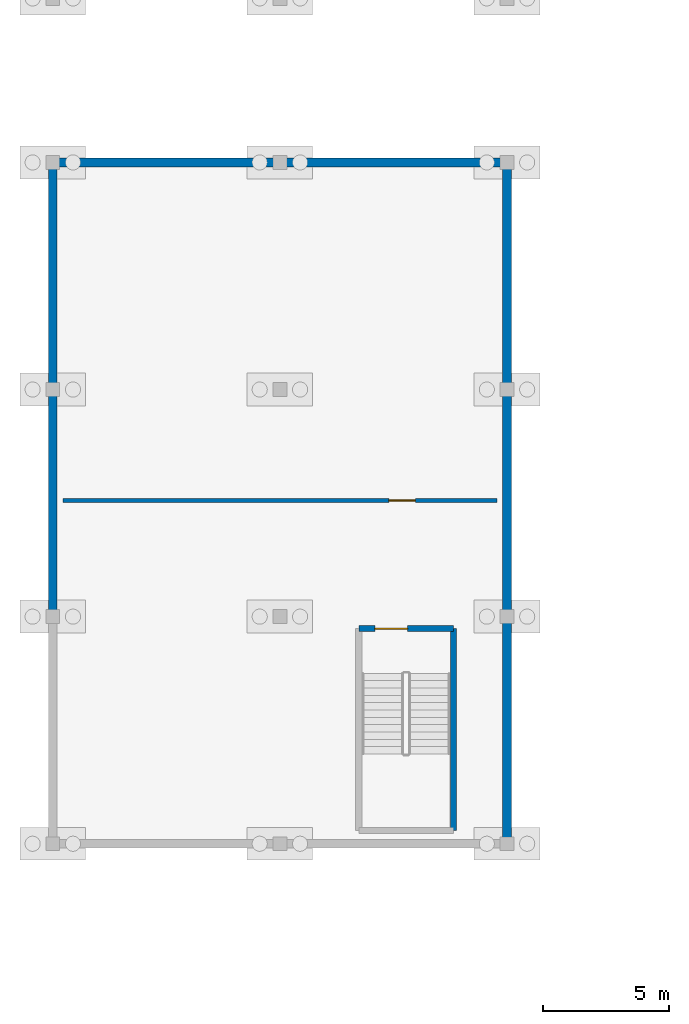
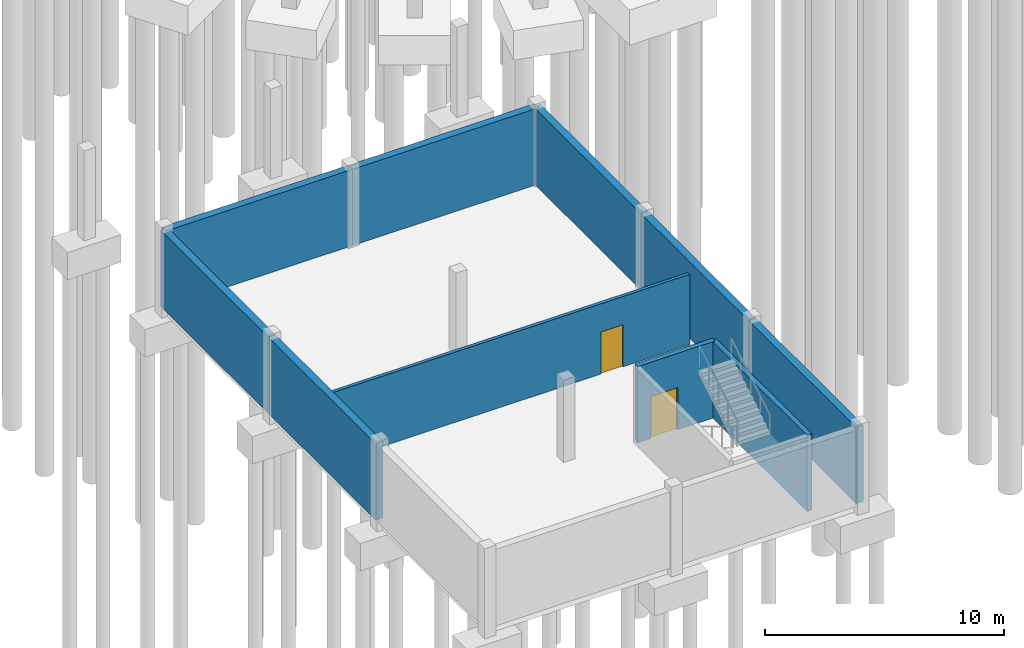
# One storey, part 19 of 36: 10 walls, 2 doors, 2 openings.
"""IFC4 building model written with IfcOpenShell, lengths in metres."""

import ifcopenshell
import ifcopenshell.guid

model = None  # the IFC model being written
_history = None  # IfcOwnerHistory: only IFC2X3 demands one
_inside = {}  # id of a spatial element -> (the spatial element, [elements in it])
_under = {}  # id of a project, library or spatial element -> (it, [spatial elements below it])
_declared = {}  # id of a project -> (the project, [libraries it declares])
_typed = {}  # id of a type object -> (the type object, [elements of that type])
_made_of = {}  # id of a material, layer set ... -> (it, [elements and type objects made of it])


def new_model(schema):
    """Start an empty IFC model of exactly this schema.

    Asked for "IFC4X3", IfcOpenShell would pick the latest addendum, in which some entities
    have other attributes; the version numbers below select the first issue.
    IFC2X3 requires an IfcOwnerHistory on every rooted entity: one is made here for all.
    """
    global model, _history
    if schema == "IFC4X3":
        model = ifcopenshell.file(schema_version=(4, 3, 0, 0))
    else:
        model = ifcopenshell.file(schema=schema)
    _inside.clear()
    _under.clear()
    _declared.clear()
    _typed.clear()
    _made_of.clear()
    _history = None
    if model.schema == "IFC2X3":
        org = make("IfcOrganization", Name="unknown")
        user = make(
            "IfcPersonAndOrganization",
            ThePerson=make("IfcPerson", FamilyName="unknown"),
            TheOrganization=org,
        )
        app = make(
            "IfcApplication",
            ApplicationDeveloper=org,
            Version="unknown",
            ApplicationFullName="unknown",
            ApplicationIdentifier="unknown",
        )
        _history = make(
            "IfcOwnerHistory",
            OwningUser=user,
            OwningApplication=app,
            ChangeAction="ADDED",
            CreationDate=0,
        )
    return model


def make(cls, **values):
    """One entity of the class cls with the attributes given. An attribute that is None is left unset."""
    return model.create_entity(
        cls, **{name: value for name, value in values.items() if value is not None}
    )


def rooted(cls, **values):
    """An entity with a GlobalId (a new one), such as an element, a storey or a relation."""
    return make(cls, GlobalId=ifcopenshell.guid.new(), OwnerHistory=_history, **values)


def si_unit(unit_type, name, prefix=None):
    """IfcSIUnit, for example si_unit("LENGTHUNIT", "METRE", prefix="MILLI")."""
    return make("IfcSIUnit", UnitType=unit_type, Prefix=prefix, Name=name)


def derived_unit(unit_type, elements):
    """IfcDerivedUnit: a product of units, each with its exponent."""
    return make(
        "IfcDerivedUnit",
        Elements=[
            make("IfcDerivedUnitElement", Unit=unit, Exponent=power)
            for unit, power in elements
        ],
        UnitType=unit_type,
    )


def assignment(units):
    """IfcUnitAssignment: the units of a project."""
    return None if units is None else make("IfcUnitAssignment", Units=units)


def point(xyz):
    """IfcCartesianPoint."""
    return None if xyz is None else make("IfcCartesianPoint", Coordinates=xyz)


def direction(xyz):
    """IfcDirection."""
    return None if xyz is None else make("IfcDirection", DirectionRatios=xyz)


def frame(location, z_axis=None, x_axis=None):
    """IfcAxis2Placement3D, a coordinate frame: its origin and axes. An axis left out is left unset."""
    return make(
        "IfcAxis2Placement3D",
        Location=point(location),
        Axis=direction(z_axis),
        RefDirection=direction(x_axis),
    )


def frame_2d(location, x_axis=None):
    """IfcAxis2Placement2D, a coordinate frame in the plane: its origin and x axis."""
    return make(
        "IfcAxis2Placement2D", Location=point(location), RefDirection=direction(x_axis)
    )


def origin():
    """The frame at (0, 0, 0) with its axes left unset."""
    return frame((0.0, 0.0, 0.0))


def place(relative_to, where):
    """IfcLocalPlacement: puts the frame where relative to a parent placement (None: the world)."""
    return make(
        "IfcLocalPlacement", PlacementRelTo=relative_to, RelativePlacement=where
    )


def context(
    kind, dimensions, precision=None, world=None, true_north=None, identifier=None
):
    """IfcGeometricRepresentationContext, for example the 3D "Model" context."""
    return make(
        "IfcGeometricRepresentationContext",
        ContextIdentifier=identifier,
        ContextType=kind,
        CoordinateSpaceDimension=dimensions,
        Precision=precision,
        WorldCoordinateSystem=world,
        TrueNorth=true_north,
    )


def subcontext(parent, identifier, kind, view, scale=None):
    """IfcGeometricRepresentationSubContext, for example "Body" below "Model"."""
    return make(
        "IfcGeometricRepresentationSubContext",
        ContextIdentifier=identifier,
        ContextType=kind,
        ParentContext=parent,
        TargetScale=scale,
        TargetView=view,
    )


def project(units=None, contexts=None):
    """IfcProject with its units and contexts."""
    return rooted(
        "IfcProject",
        Name="project",
        RepresentationContexts=contexts,
        UnitsInContext=assignment(units),
    )


def spatial(cls, under=None, at=None, **own):
    """A site, building, storey or space (cls), placed at a placement, below another one or the project."""
    s = rooted(cls, ObjectPlacement=at, **own)
    if under is not None:
        _under.setdefault(under.id(), (under, []))[1].append(s)
    return s


def profile(cls, at=None, kind="AREA", **sizes):
    """A parametric profile (cls). Its sizes go by their IFC names, for example OverallWidth=200.0."""
    return make(cls, ProfileType=kind, Position=at, **sizes)


def rectangle(**sizes):
    """IfcRectangleProfileDef."""
    return profile("IfcRectangleProfileDef", **sizes)


def extrude(swept, where, along, depth):
    """IfcExtrudedAreaSolid: the profile swept, set in the frame where, extruded along a direction by depth."""
    return make(
        "IfcExtrudedAreaSolid",
        SweptArea=swept,
        Position=where,
        ExtrudedDirection=direction(along),
        Depth=depth,
    )


def shape(context_of_items, identifier, shape_type, items):
    """IfcShapeRepresentation: the items that make up one representation, for example the "Body"."""
    return make(
        "IfcShapeRepresentation",
        ContextOfItems=context_of_items,
        RepresentationIdentifier=identifier,
        RepresentationType=shape_type,
        Items=items,
    )


def material(Name=None, Category=None):
    """IfcMaterial."""
    return make("IfcMaterial", Name=Name, Category=Category)


def layer(
    of_material, thickness, ventilated=None, Name=None, Category=None, Priority=None
):
    """IfcMaterialLayer: one layer of a wall or slab, of a material (None: an air gap)."""
    return make(
        "IfcMaterialLayer",
        Material=of_material,
        LayerThickness=thickness,
        IsVentilated=ventilated,
        Name=Name,
        Category=Category,
        Priority=Priority,
    )


def layer_set(layers, Name=None):
    """IfcMaterialLayerSet."""
    return make("IfcMaterialLayerSet", MaterialLayers=layers, LayerSetName=Name)


def made_of(thing, what):
    """Note that an element or type object is made of a material, layer set ...; save() writes the relation."""
    if what is not None:
        _made_of.setdefault(what.id(), (what, []))[1].append(thing)
    return thing


def type_object(cls, material=None, **own):
    """A type object (cls), such as IfcWallType, which elements share."""
    return made_of(rooted(cls, **own), material)


def element(
    cls,
    number,
    at=None,
    inside=None,
    cuts=None,
    type_object=None,
    material=None,
    context=None,
    identifier="Body",
    shape_type=None,
    held_by="IfcProductDefinitionShape",
    body=None,
    shapes=None,
    **own,
):
    """One element of the class cls, such as IfcWall. Its Tag is "e" and its number.

    at: its placement. inside: the storey or other place that contains it. cuts: it is an
    opening in that element (IfcRelVoidsElement). A single representation is given by context,
    identifier, shape_type and body (its items); several are given by shapes. held_by: the class
    of the entity that holds the representations. save() writes the other relations.
    """
    e = rooted(cls, Tag="e%d" % number, ObjectPlacement=at, **own)
    if body is not None:
        shapes = [shape(context, identifier, shape_type, body)]
    if shapes is not None:
        e.Representation = make(held_by, Representations=shapes)
    if inside is not None:
        _inside.setdefault(inside.id(), (inside, []))[1].append(e)
    if cuts is not None:
        rooted(
            "IfcRelVoidsElement", RelatingBuildingElement=cuts, RelatedOpeningElement=e
        )
    if type_object is not None:
        _typed.setdefault(type_object.id(), (type_object, []))[1].append(e)
    return made_of(e, material)


def fill(opening, filler):
    """IfcRelFillsElement: the door or window that sits in an opening."""
    return rooted(
        "IfcRelFillsElement",
        RelatingOpeningElement=opening,
        RelatedBuildingElement=filler,
    )


def aggregate(whole, parts):
    """IfcRelAggregates: a whole, such as a stair, and the parts it consists of."""
    return rooted("IfcRelAggregates", RelatingObject=whole, RelatedObjects=parts)


def save(model, path):
    """Write the relations noted so far, then the file.

    IfcRelAggregates (storeys below a building ...), IfcRelContainedInSpatialStructure (elements
    in a storey), IfcRelDefinesByType, IfcRelAssociatesMaterial and IfcRelDeclares: one each for
    every whole, place, type object, material and project.
    """
    for whole, parts in _under.values():
        aggregate(whole, parts)
    for where, things in _inside.values():
        rooted(
            "IfcRelContainedInSpatialStructure",
            RelatedElements=things,
            RelatingStructure=where,
        )
    for kind, things in _typed.values():
        rooted("IfcRelDefinesByType", RelatedObjects=things, RelatingType=kind)
    for what, things in _made_of.values():
        rooted("IfcRelAssociatesMaterial", RelatedObjects=things, RelatingMaterial=what)
    for by, libraries in _declared.values():
        rooted("IfcRelDeclares", RelatingContext=by, RelatedDefinitions=libraries)
    model.write(path)


model = new_model("IFC4")

# Units and contexts
model_context = context("Model", 3, precision=1e-05, world=origin(), true_north=direction((0.0, 1.0)))
body_context = subcontext(model_context, "Body", "Model", "MODEL_VIEW")
ifc_project = project(units=[si_unit("LENGTHUNIT", "METRE"), si_unit("AREAUNIT", "SQUARE_METRE"), si_unit("VOLUMEUNIT", "CUBIC_METRE"), si_unit("PLANEANGLEUNIT", "RADIAN"), si_unit("MASSUNIT", "GRAM", prefix="KILO"), si_unit("THERMODYNAMICTEMPERATUREUNIT", "KELVIN"), si_unit("TIMEUNIT", "SECOND"), derived_unit("THERMALTRANSMITTANCEUNIT", [(si_unit("MASSUNIT", "GRAM", prefix="KILO"), 1), (si_unit("THERMODYNAMICTEMPERATUREUNIT", "KELVIN"), -1), (si_unit("TIMEUNIT", "SECOND"), -3)])], contexts=[model_context])

# Site, building, storey
site_placement = place(None, origin())
site = spatial("IfcSite", under=ifc_project, at=site_placement, CompositionType="ELEMENT")
building_placement = place(site_placement, origin())
building = spatial("IfcBuilding", under=site, at=building_placement, Name="Cambertide Market Hall", CompositionType="ELEMENT")
storey_placement = place(building_placement, frame((0.0, 0.0, -4.199951171875)))
storey = spatial("IfcBuildingStorey", under=building, at=storey_placement, Name="B1", CompositionType="ELEMENT", Elevation=-4.199951171875)

# Walls
ifc_material_1 = material(Name="Concrete B35", Category="concrete")
ifc_layer_1 = layer(ifc_material_1, 0.35009765625, Name="Basement Retaining Wall 350")
ifc_layer_set_1 = layer_set([ifc_layer_1], Name="Concrete B35")
wall_type_1 = type_object("IfcWallType", Name="Basement Retaining Wall 350", PredefinedType="SOLIDWALL", material=ifc_layer_set_1)
for number, where, z_axis, x_axis, name in (
    (1, (12.0, 41.0, 0.0), (0.0, 0.0, 1.0), (1.0, 0.0, 0.0), "Basement 1 Exterior Wall EW-B1-SWN-1"),
    (2, (21.0, 41.0, 0.0), (0.0, 0.0, 1.0), (1.0, 0.0, 0.0), "Basement 1 Exterior Wall EW-B1-SWN-2"),
    (3, (30.0, 23.0, 0.0), (0.0, 0.0, 1.0), (0.0, -1.0, 0.0), "Basement 1 Exterior Wall EW-B1-SWE-1"),
    (4, (12.0, 23.0, 0.0), (0.0, 0.0, 1.0), (0.0, 1.0, 0.0), "Basement 1 Exterior Wall EW-B1-SWW-2"),
    (5, (30.0, 32.0, 0.0), (0.0, 0.0, 1.0), (0.0, -1.0, 0.0), "Basement 1 Exterior Wall EW-B1-SWE-2"),
    (6, (12.0, 32.0, 0.0), (0.0, 0.0, 1.0), (0.0, 1.0, 0.0), "Basement 1 Exterior Wall EW-B1-SWW-3"),
    (7, (30.0, 41.0, 0.0), (0.0, 0.0, 1.0), (0.0, -1.0, 0.0), "Basement 1 Exterior Wall EW-B1-SWE-3"),
):
    element("IfcWall", number, at=place(storey_placement, frame(where, z_axis=z_axis, x_axis=x_axis)), inside=storey, type_object=wall_type_1, Name=name, PredefinedType="SOLIDWALL", context=body_context, shape_type="SweptSolid", body=[
        extrude(rectangle(XDim=9.0, YDim=0.35009765625, at=frame_2d((4.5, 0.0))), origin(), (0.0, 0.0, 1.0), 3.89990234375),
    ])

# Wall, opening, door
ifc_material_2 = material(Name="Autoclaved Aerated Concrete Blockwork M7.5", Category="masonry")
ifc_layer_2 = layer(ifc_material_2, 0.159912109375, Name="Fire-Rated Corridor & Kitchen Partition 160")
ifc_layer_set_2 = layer_set([ifc_layer_2], Name="Autoclaved Aerated Concrete Blockwork M7.5")
wall_type_2 = type_object("IfcWallType", Name="Fire-Rated Corridor & Kitchen Partition 160", PredefinedType="PARTITIONING", material=ifc_layer_set_2)
wall_1_placement = place(storey_placement, frame((12.39990234375, 27.60009765625, 0.0), z_axis=(0.0, 0.0, 1.0), x_axis=(1.0, 0.0, 0.0)))
wall_1 = element("IfcWall", 8, at=wall_1_placement, inside=storey, type_object=wall_type_2, Name="Basement 1 Interior Wall IW-B1-SWDIV", PredefinedType="PARTITIONING", context=body_context, shape_type="SweptSolid", body=[
    extrude(rectangle(XDim=17.2001953125, YDim=0.159912109375, at=frame_2d((8.60009765625, 0.0))), origin(), (0.0, 0.0, 1.0), 3.58984375),
])
opening_1_placement = place(wall_1_placement, frame((12.919921875, 0.0, 0.0)))
opening_1 = element("IfcOpeningElement", 9, at=opening_1_placement, cuts=wall_1, Name="Opening KD-01", PredefinedType="OPENING", context=body_context, shape_type="SweptSolid", body=[
    extrude(rectangle(XDim=1.050048828125, YDim=2.14990234375, at=frame_2d((0.52490234375, 1.074951171875))), frame((0.0, 0.08984375, 0.0), z_axis=(0.0, -1.0, 0.0), x_axis=(1.0, 0.0, 0.0)), (0.0, 0.0, 1.0), 0.179931640625),
])
ifc_material_3 = material(Name="Stainless Steel Grade 316", Category="metal")
door_type_1 = type_object("IfcDoorType", Name="Kitchen & Lab Fire Door 1050x2150", OperationType="NOTDEFINED", PredefinedType="DOOR", material=ifc_material_3)
door_1_placement = place(opening_1_placement, origin())
door_1 = element("IfcDoor", 10, at=door_1_placement, inside=storey, type_object=door_type_1, Name="Basement 1 Door IW-B1-SWDIV-DR1", OperationType="SINGLE_SWING_LEFT", OverallHeight=2.14990234375, OverallWidth=1.050048828125, PredefinedType="DOOR", context=body_context, shape_type="SweptSolid", body=[
    extrude(rectangle(XDim=1.050048828125, YDim=2.14990234375, at=frame_2d((0.52490234375, 1.074951171875))), frame((0.0, 0.02490234375, 0.0), z_axis=(0.0, -1.0, 0.0), x_axis=(1.0, 0.0, 0.0)), (0.0, 0.0, 1.0), 0.050048828125),
])
fill(opening_1, door_1)

ifc_material_4 = material(Name="Concrete B35", Category="concrete")
ifc_layer_3 = layer(ifc_material_4, 0.239990234375, Name="Stair & Lift Core Shaft Wall 240")
ifc_layer_set_3 = layer_set([ifc_layer_3], Name="Concrete B35")
wall_type_3 = type_object("IfcWallType", Name="Stair & Lift Core Shaft Wall 240", PredefinedType="SOLIDWALL", material=ifc_layer_set_3)
wall_2_placement = place(storey_placement, frame((24.125, 22.52490234375, 0.0), z_axis=(0.0, 0.0, 1.0), x_axis=(1.0, 0.0, 0.0)))
wall_2 = element("IfcWall", 11, at=wall_2_placement, inside=storey, type_object=wall_type_3, Name="Basement 1 Interior Wall SHW-ST-04B-B1-NEAR", PredefinedType="SOLIDWALL", context=body_context, shape_type="SweptSolid", body=[
    extrude(rectangle(XDim=3.75, YDim=0.239990234375, at=frame_2d((1.875, 0.0))), origin(), (0.0, 0.0, 1.0), 3.89990234375),
])
opening_2_placement = place(wall_2_placement, frame((0.636962890625, 0.0, 0.0)))
opening_2 = element("IfcOpeningElement", 12, at=opening_2_placement, cuts=wall_2, Name="Opening FD-01", PredefinedType="OPENING", context=body_context, shape_type="SweptSolid", body=[
    extrude(rectangle(XDim=1.300048828125, YDim=2.14990234375, at=frame_2d((0.64990234375, 1.074951171875))), frame((0.0, 0.1298828125, 0.0), z_axis=(0.0, -1.0, 0.0), x_axis=(1.0, 0.0, 0.0)), (0.0, 0.0, 1.0), 0.260009765625),
])
ifc_material_5 = material(Name="Powder-Coated Galvanized Sheet Metal", Category="metal")
door_type_2 = type_object("IfcDoorType", Name="Stair Core Fire Door 1300x2150", OperationType="NOTDEFINED", PredefinedType="DOOR", material=ifc_material_5)
door_2_placement = place(opening_2_placement, origin())
door_2 = element("IfcDoor", 13, at=door_2_placement, inside=storey, type_object=door_type_2, Name="Basement 1 Door SHW-ST-04B-B1-NEAR-DR1", OperationType="SINGLE_SWING_RIGHT", OverallHeight=2.14990234375, OverallWidth=1.300048828125, PredefinedType="DOOR", context=body_context, shape_type="SweptSolid", body=[
    extrude(rectangle(XDim=1.300048828125, YDim=2.14990234375, at=frame_2d((0.64990234375, 1.074951171875))), frame((0.0, 0.02490234375, 0.0), z_axis=(0.0, -1.0, 0.0), x_axis=(1.0, 0.0, 0.0)), (0.0, 0.0, 1.0), 0.050048828125),
])
fill(opening_2, door_2)

# Wall
wall_3_placement = place(storey_placement, frame((27.875, 22.52490234375, 0.0), z_axis=(0.0, 0.0, 1.0), x_axis=(0.0, -1.0, 0.0)))
element("IfcWall", 14, at=wall_3_placement, inside=storey, type_object=wall_type_3, Name="Basement 1 Interior Wall SHW-ST-04B-B1-R", PredefinedType="SOLIDWALL", context=body_context, shape_type="SweptSolid", body=[
    extrude(rectangle(XDim=8.0, YDim=0.239990234375, at=frame_2d((4.0, 0.0))), origin(), (0.0, 0.0, 1.0), 3.89990234375),
])

save(model, "model.ifc")
